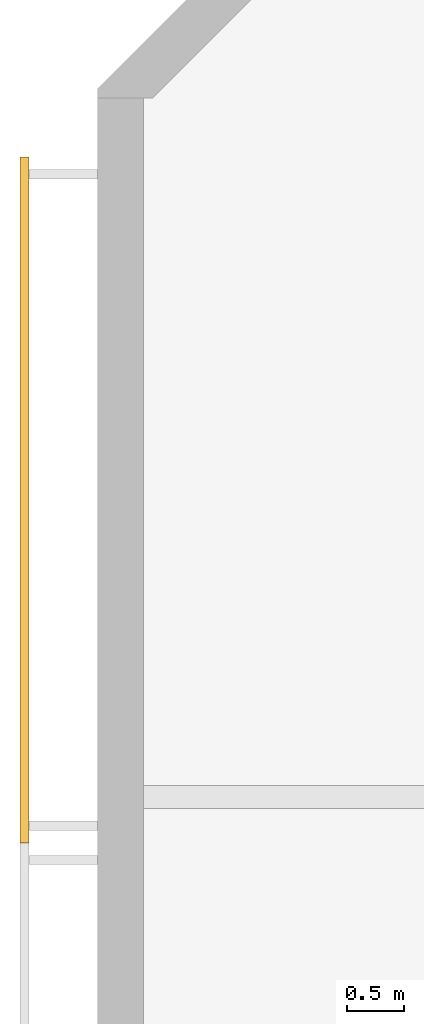
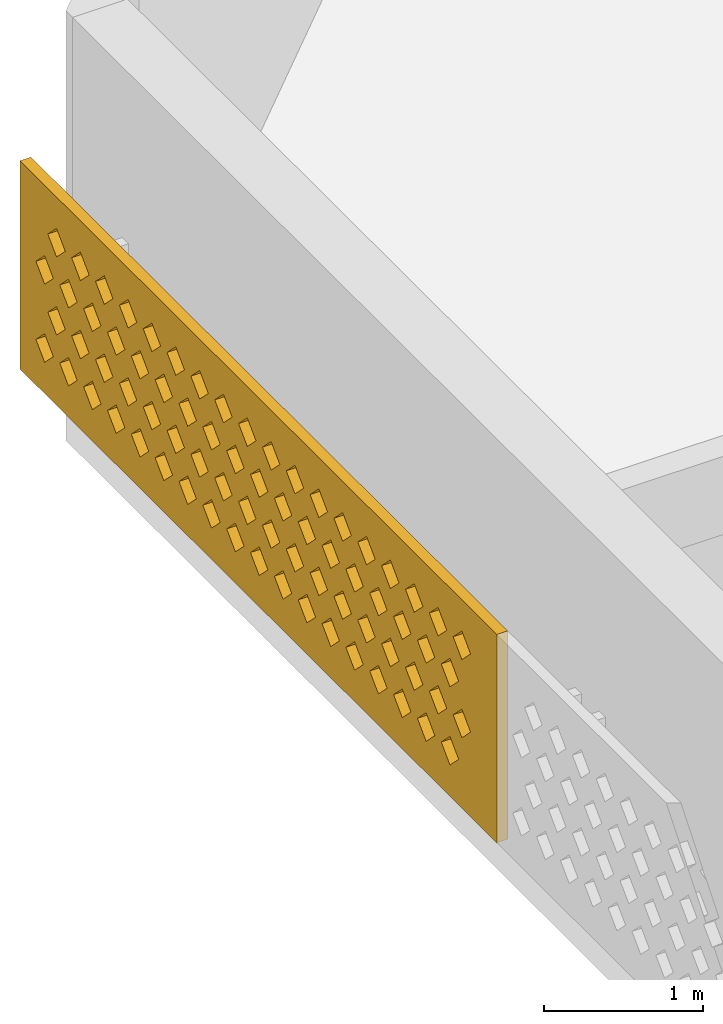
# One storey, part 15 of 18: 1 covering.
"""IFC4 building model written with IfcOpenShell, lengths in metres."""

from ifc_helpers import new_model, si_unit, direction, frame, origin, place, context, subcontext, project, spatial, polyline, outline, extrude, source, transform, mapped, material, material_profile, profile_set, type_object, element, save


model = new_model("IFC4")

# Units and contexts
model_context = context("Model", 3, precision=1e-05, world=origin(), true_north=direction((0.0, 1.0)))
body_context = subcontext(model_context, "Body", "Model", "MODEL_VIEW")
ifc_project = project(units=[si_unit("LENGTHUNIT", "METRE"), si_unit("AREAUNIT", "SQUARE_METRE"), si_unit("VOLUMEUNIT", "CUBIC_METRE"), si_unit("PLANEANGLEUNIT", "RADIAN"), si_unit("MASSUNIT", "GRAM", prefix="KILO")], contexts=[model_context])

# Site, building, storey
site_placement = place(None, origin())
site = spatial("IfcSite", under=ifc_project, at=site_placement, CompositionType="ELEMENT")
building_placement = place(site_placement, origin())
building = spatial("IfcBuilding", under=site, at=building_placement, Name="Poui Terraces", CompositionType="ELEMENT")
storey_placement = place(building_placement, frame((0.0, 0.0, 285.60009765625)))
storey = spatial("IfcBuildingStorey", under=building, at=storey_placement, Name="L79 CROWN", CompositionType="ELEMENT", Elevation=285.60009765625)

# Covering
ifc_material = material(Name="Terracotta screen", Category="masonry")
ifc_material_profile = material_profile(ifc_material, outline(polyline([(-3.0, -0.800048828125), (3.0, -0.800048828125), (3.0, 0.800048828125), (-3.0, 0.800048828125), (-3.0, -0.800048828125)]), holes=[polyline([(-2.800048828125, -0.449951171875), (-2.68994140625, -0.56005859375), (-2.580078125, -0.449951171875), (-2.68994140625, -0.340087890625), (-2.800048828125, -0.449951171875)]), polyline([(-2.5, -0.449951171875), (-2.389892578125, -0.56005859375), (-2.280029296875, -0.449951171875), (-2.389892578125, -0.340087890625), (-2.5, -0.449951171875)]), polyline([(-2.199951171875, -0.449951171875), (-2.090087890625, -0.56005859375), (-1.97998046875, -0.449951171875), (-2.090087890625, -0.340087890625), (-2.199951171875, -0.449951171875)]), polyline([(-1.89990234375, -0.449951171875), (-1.7900390625, -0.56005859375), (-1.679931640625, -0.449951171875), (-1.7900390625, -0.340087890625), (-1.89990234375, -0.449951171875)]), polyline([(-1.60009765625, -0.449951171875), (-1.489990234375, -0.56005859375), (-1.3798828125, -0.449951171875), (-1.489990234375, -0.340087890625), (-1.60009765625, -0.449951171875)]), polyline([(-1.300048828125, -0.449951171875), (-1.18994140625, -0.56005859375), (-1.080078125, -0.449951171875), (-1.18994140625, -0.340087890625), (-1.300048828125, -0.449951171875)]), polyline([(-1.0, -0.449951171875), (-0.889892578125, -0.56005859375), (-0.780029296875, -0.449951171875), (-0.889892578125, -0.340087890625), (-1.0, -0.449951171875)]), polyline([(-0.699951171875, -0.449951171875), (-0.590087890625, -0.56005859375), (-0.47998046875, -0.449951171875), (-0.590087890625, -0.340087890625), (-0.699951171875, -0.449951171875)]), polyline([(-0.39990234375, -0.449951171875), (-0.2900390625, -0.56005859375), (-0.179931640625, -0.449951171875), (-0.2900390625, -0.340087890625), (-0.39990234375, -0.449951171875)]), polyline([(-0.10009765625, -0.449951171875), (0.010009765625, -0.56005859375), (0.1201171875, -0.449951171875), (0.010009765625, -0.340087890625), (-0.10009765625, -0.449951171875)]), polyline([(0.199951171875, -0.449951171875), (0.31005859375, -0.56005859375), (0.419921875, -0.449951171875), (0.31005859375, -0.340087890625), (0.199951171875, -0.449951171875)]), polyline([(0.5, -0.449951171875), (0.610107421875, -0.56005859375), (0.719970703125, -0.449951171875), (0.610107421875, -0.340087890625), (0.5, -0.449951171875)]), polyline([(0.800048828125, -0.449951171875), (0.909912109375, -0.56005859375), (1.02001953125, -0.449951171875), (0.909912109375, -0.340087890625), (0.800048828125, -0.449951171875)]), polyline([(1.10009765625, -0.449951171875), (1.2099609375, -0.56005859375), (1.320068359375, -0.449951171875), (1.2099609375, -0.340087890625), (1.10009765625, -0.449951171875)]), polyline([(1.39990234375, -0.449951171875), (1.510009765625, -0.56005859375), (1.6201171875, -0.449951171875), (1.510009765625, -0.340087890625), (1.39990234375, -0.449951171875)]), polyline([(1.699951171875, -0.449951171875), (1.81005859375, -0.56005859375), (1.919921875, -0.449951171875), (1.81005859375, -0.340087890625), (1.699951171875, -0.449951171875)]), polyline([(2.0, -0.449951171875), (2.110107421875, -0.56005859375), (2.219970703125, -0.449951171875), (2.110107421875, -0.340087890625), (2.0, -0.449951171875)]), polyline([(2.300048828125, -0.449951171875), (2.409912109375, -0.56005859375), (2.52001953125, -0.449951171875), (2.409912109375, -0.340087890625), (2.300048828125, -0.449951171875)]), polyline([(-2.64990234375, -0.14990234375), (-2.5400390625, -0.260009765625), (-2.429931640625, -0.14990234375), (-2.5400390625, -0.0400390625), (-2.64990234375, -0.14990234375)]), polyline([(-2.35009765625, -0.14990234375), (-2.239990234375, -0.260009765625), (-2.1298828125, -0.14990234375), (-2.239990234375, -0.0400390625), (-2.35009765625, -0.14990234375)]), polyline([(-2.050048828125, -0.14990234375), (-1.93994140625, -0.260009765625), (-1.830078125, -0.14990234375), (-1.93994140625, -0.0400390625), (-2.050048828125, -0.14990234375)]), polyline([(-1.75, -0.14990234375), (-1.639892578125, -0.260009765625), (-1.530029296875, -0.14990234375), (-1.639892578125, -0.0400390625), (-1.75, -0.14990234375)]), polyline([(-1.449951171875, -0.14990234375), (-1.340087890625, -0.260009765625), (-1.22998046875, -0.14990234375), (-1.340087890625, -0.0400390625), (-1.449951171875, -0.14990234375)]), polyline([(-1.14990234375, -0.14990234375), (-1.0400390625, -0.260009765625), (-0.929931640625, -0.14990234375), (-1.0400390625, -0.0400390625), (-1.14990234375, -0.14990234375)]), polyline([(-0.85009765625, -0.14990234375), (-0.739990234375, -0.260009765625), (-0.6298828125, -0.14990234375), (-0.739990234375, -0.0400390625), (-0.85009765625, -0.14990234375)]), polyline([(-0.550048828125, -0.14990234375), (-0.43994140625, -0.260009765625), (-0.330078125, -0.14990234375), (-0.43994140625, -0.0400390625), (-0.550048828125, -0.14990234375)]), polyline([(-0.25, -0.14990234375), (-0.139892578125, -0.260009765625), (-0.030029296875, -0.14990234375), (-0.139892578125, -0.0400390625), (-0.25, -0.14990234375)]), polyline([(0.050048828125, -0.14990234375), (0.159912109375, -0.260009765625), (0.27001953125, -0.14990234375), (0.159912109375, -0.0400390625), (0.050048828125, -0.14990234375)]), polyline([(0.35009765625, -0.14990234375), (0.4599609375, -0.260009765625), (0.570068359375, -0.14990234375), (0.4599609375, -0.0400390625), (0.35009765625, -0.14990234375)]), polyline([(0.64990234375, -0.14990234375), (0.760009765625, -0.260009765625), (0.8701171875, -0.14990234375), (0.760009765625, -0.0400390625), (0.64990234375, -0.14990234375)]), polyline([(0.949951171875, -0.14990234375), (1.06005859375, -0.260009765625), (1.169921875, -0.14990234375), (1.06005859375, -0.0400390625), (0.949951171875, -0.14990234375)]), polyline([(1.25, -0.14990234375), (1.360107421875, -0.260009765625), (1.469970703125, -0.14990234375), (1.360107421875, -0.0400390625), (1.25, -0.14990234375)]), polyline([(1.550048828125, -0.14990234375), (1.659912109375, -0.260009765625), (1.77001953125, -0.14990234375), (1.659912109375, -0.0400390625), (1.550048828125, -0.14990234375)]), polyline([(1.85009765625, -0.14990234375), (1.9599609375, -0.260009765625), (2.070068359375, -0.14990234375), (1.9599609375, -0.0400390625), (1.85009765625, -0.14990234375)]), polyline([(2.14990234375, -0.14990234375), (2.260009765625, -0.260009765625), (2.3701171875, -0.14990234375), (2.260009765625, -0.0400390625), (2.14990234375, -0.14990234375)]), polyline([(2.449951171875, -0.14990234375), (2.56005859375, -0.260009765625), (2.669921875, -0.14990234375), (2.56005859375, -0.0400390625), (2.449951171875, -0.14990234375)]), polyline([(-2.800048828125, 0.14990234375), (-2.68994140625, 0.0400390625), (-2.580078125, 0.14990234375), (-2.68994140625, 0.260009765625), (-2.800048828125, 0.14990234375)]), polyline([(-2.5, 0.14990234375), (-2.389892578125, 0.0400390625), (-2.280029296875, 0.14990234375), (-2.389892578125, 0.260009765625), (-2.5, 0.14990234375)]), polyline([(-2.199951171875, 0.14990234375), (-2.090087890625, 0.0400390625), (-1.97998046875, 0.14990234375), (-2.090087890625, 0.260009765625), (-2.199951171875, 0.14990234375)]), polyline([(-1.89990234375, 0.14990234375), (-1.7900390625, 0.0400390625), (-1.679931640625, 0.14990234375), (-1.7900390625, 0.260009765625), (-1.89990234375, 0.14990234375)]), polyline([(-1.60009765625, 0.14990234375), (-1.489990234375, 0.0400390625), (-1.3798828125, 0.14990234375), (-1.489990234375, 0.260009765625), (-1.60009765625, 0.14990234375)]), polyline([(-1.300048828125, 0.14990234375), (-1.18994140625, 0.0400390625), (-1.080078125, 0.14990234375), (-1.18994140625, 0.260009765625), (-1.300048828125, 0.14990234375)]), polyline([(-1.0, 0.14990234375), (-0.889892578125, 0.0400390625), (-0.780029296875, 0.14990234375), (-0.889892578125, 0.260009765625), (-1.0, 0.14990234375)]), polyline([(-0.699951171875, 0.14990234375), (-0.590087890625, 0.0400390625), (-0.47998046875, 0.14990234375), (-0.590087890625, 0.260009765625), (-0.699951171875, 0.14990234375)]), polyline([(-0.39990234375, 0.14990234375), (-0.2900390625, 0.0400390625), (-0.179931640625, 0.14990234375), (-0.2900390625, 0.260009765625), (-0.39990234375, 0.14990234375)]), polyline([(-0.10009765625, 0.14990234375), (0.010009765625, 0.0400390625), (0.1201171875, 0.14990234375), (0.010009765625, 0.260009765625), (-0.10009765625, 0.14990234375)]), polyline([(0.199951171875, 0.14990234375), (0.31005859375, 0.0400390625), (0.419921875, 0.14990234375), (0.31005859375, 0.260009765625), (0.199951171875, 0.14990234375)]), polyline([(0.5, 0.14990234375), (0.610107421875, 0.0400390625), (0.719970703125, 0.14990234375), (0.610107421875, 0.260009765625), (0.5, 0.14990234375)]), polyline([(0.800048828125, 0.14990234375), (0.909912109375, 0.0400390625), (1.02001953125, 0.14990234375), (0.909912109375, 0.260009765625), (0.800048828125, 0.14990234375)]), polyline([(1.10009765625, 0.14990234375), (1.2099609375, 0.0400390625), (1.320068359375, 0.14990234375), (1.2099609375, 0.260009765625), (1.10009765625, 0.14990234375)]), polyline([(1.39990234375, 0.14990234375), (1.510009765625, 0.0400390625), (1.6201171875, 0.14990234375), (1.510009765625, 0.260009765625), (1.39990234375, 0.14990234375)]), polyline([(1.699951171875, 0.14990234375), (1.81005859375, 0.0400390625), (1.919921875, 0.14990234375), (1.81005859375, 0.260009765625), (1.699951171875, 0.14990234375)]), polyline([(2.0, 0.14990234375), (2.110107421875, 0.0400390625), (2.219970703125, 0.14990234375), (2.110107421875, 0.260009765625), (2.0, 0.14990234375)]), polyline([(2.300048828125, 0.14990234375), (2.409912109375, 0.0400390625), (2.52001953125, 0.14990234375), (2.409912109375, 0.260009765625), (2.300048828125, 0.14990234375)]), polyline([(-2.64990234375, 0.449951171875), (-2.5400390625, 0.340087890625), (-2.429931640625, 0.449951171875), (-2.5400390625, 0.56005859375), (-2.64990234375, 0.449951171875)]), polyline([(-2.35009765625, 0.449951171875), (-2.239990234375, 0.340087890625), (-2.1298828125, 0.449951171875), (-2.239990234375, 0.56005859375), (-2.35009765625, 0.449951171875)]), polyline([(-2.050048828125, 0.449951171875), (-1.93994140625, 0.340087890625), (-1.830078125, 0.449951171875), (-1.93994140625, 0.56005859375), (-2.050048828125, 0.449951171875)]), polyline([(-1.75, 0.449951171875), (-1.639892578125, 0.340087890625), (-1.530029296875, 0.449951171875), (-1.639892578125, 0.56005859375), (-1.75, 0.449951171875)]), polyline([(-1.449951171875, 0.449951171875), (-1.340087890625, 0.340087890625), (-1.22998046875, 0.449951171875), (-1.340087890625, 0.56005859375), (-1.449951171875, 0.449951171875)]), polyline([(-1.14990234375, 0.449951171875), (-1.0400390625, 0.340087890625), (-0.929931640625, 0.449951171875), (-1.0400390625, 0.56005859375), (-1.14990234375, 0.449951171875)]), polyline([(-0.85009765625, 0.449951171875), (-0.739990234375, 0.340087890625), (-0.6298828125, 0.449951171875), (-0.739990234375, 0.56005859375), (-0.85009765625, 0.449951171875)]), polyline([(-0.550048828125, 0.449951171875), (-0.43994140625, 0.340087890625), (-0.330078125, 0.449951171875), (-0.43994140625, 0.56005859375), (-0.550048828125, 0.449951171875)]), polyline([(-0.25, 0.449951171875), (-0.139892578125, 0.340087890625), (-0.030029296875, 0.449951171875), (-0.139892578125, 0.56005859375), (-0.25, 0.449951171875)]), polyline([(0.050048828125, 0.449951171875), (0.159912109375, 0.340087890625), (0.27001953125, 0.449951171875), (0.159912109375, 0.56005859375), (0.050048828125, 0.449951171875)]), polyline([(0.35009765625, 0.449951171875), (0.4599609375, 0.340087890625), (0.570068359375, 0.449951171875), (0.4599609375, 0.56005859375), (0.35009765625, 0.449951171875)]), polyline([(0.64990234375, 0.449951171875), (0.760009765625, 0.340087890625), (0.8701171875, 0.449951171875), (0.760009765625, 0.56005859375), (0.64990234375, 0.449951171875)]), polyline([(0.949951171875, 0.449951171875), (1.06005859375, 0.340087890625), (1.169921875, 0.449951171875), (1.06005859375, 0.56005859375), (0.949951171875, 0.449951171875)]), polyline([(1.25, 0.449951171875), (1.360107421875, 0.340087890625), (1.469970703125, 0.449951171875), (1.360107421875, 0.56005859375), (1.25, 0.449951171875)]), polyline([(1.550048828125, 0.449951171875), (1.659912109375, 0.340087890625), (1.77001953125, 0.449951171875), (1.659912109375, 0.56005859375), (1.550048828125, 0.449951171875)]), polyline([(1.85009765625, 0.449951171875), (1.9599609375, 0.340087890625), (2.070068359375, 0.449951171875), (1.9599609375, 0.56005859375), (1.85009765625, 0.449951171875)]), polyline([(2.14990234375, 0.449951171875), (2.260009765625, 0.340087890625), (2.3701171875, 0.449951171875), (2.260009765625, 0.56005859375), (2.14990234375, 0.449951171875)]), polyline([(2.449951171875, 0.449951171875), (2.56005859375, 0.340087890625), (2.669921875, 0.449951171875), (2.56005859375, 0.56005859375), (2.449951171875, 0.449951171875)])]), Name="TERRACOTTA SOLAR SCREEN 6000X1600")
ifc_profile_set = profile_set([ifc_material_profile], Name="Terracotta screen")
covering_type = type_object("IfcCoveringType", Name="TERRACOTTA SOLAR SCREEN 6000X1600", PredefinedType="CLADDING", material=ifc_profile_set)
shared_shape = source(origin(), body_context, "Body", "SweptSolid", [
    extrude(outline(polyline([(-3.0, -0.800048828125), (3.0, -0.800048828125), (3.0, 0.800048828125), (-3.0, 0.800048828125), (-3.0, -0.800048828125)]), holes=[polyline([(-2.800048828125, -0.449951171875), (-2.68994140625, -0.56005859375), (-2.580078125, -0.449951171875), (-2.68994140625, -0.340087890625), (-2.800048828125, -0.449951171875)]), polyline([(-2.5, -0.449951171875), (-2.389892578125, -0.56005859375), (-2.280029296875, -0.449951171875), (-2.389892578125, -0.340087890625), (-2.5, -0.449951171875)]), polyline([(-2.199951171875, -0.449951171875), (-2.090087890625, -0.56005859375), (-1.97998046875, -0.449951171875), (-2.090087890625, -0.340087890625), (-2.199951171875, -0.449951171875)]), polyline([(-1.89990234375, -0.449951171875), (-1.7900390625, -0.56005859375), (-1.679931640625, -0.449951171875), (-1.7900390625, -0.340087890625), (-1.89990234375, -0.449951171875)]), polyline([(-1.60009765625, -0.449951171875), (-1.489990234375, -0.56005859375), (-1.3798828125, -0.449951171875), (-1.489990234375, -0.340087890625), (-1.60009765625, -0.449951171875)]), polyline([(-1.300048828125, -0.449951171875), (-1.18994140625, -0.56005859375), (-1.080078125, -0.449951171875), (-1.18994140625, -0.340087890625), (-1.300048828125, -0.449951171875)]), polyline([(-1.0, -0.449951171875), (-0.889892578125, -0.56005859375), (-0.780029296875, -0.449951171875), (-0.889892578125, -0.340087890625), (-1.0, -0.449951171875)]), polyline([(-0.699951171875, -0.449951171875), (-0.590087890625, -0.56005859375), (-0.47998046875, -0.449951171875), (-0.590087890625, -0.340087890625), (-0.699951171875, -0.449951171875)]), polyline([(-0.39990234375, -0.449951171875), (-0.2900390625, -0.56005859375), (-0.179931640625, -0.449951171875), (-0.2900390625, -0.340087890625), (-0.39990234375, -0.449951171875)]), polyline([(-0.10009765625, -0.449951171875), (0.010009765625, -0.56005859375), (0.1201171875, -0.449951171875), (0.010009765625, -0.340087890625), (-0.10009765625, -0.449951171875)]), polyline([(0.199951171875, -0.449951171875), (0.31005859375, -0.56005859375), (0.419921875, -0.449951171875), (0.31005859375, -0.340087890625), (0.199951171875, -0.449951171875)]), polyline([(0.5, -0.449951171875), (0.610107421875, -0.56005859375), (0.719970703125, -0.449951171875), (0.610107421875, -0.340087890625), (0.5, -0.449951171875)]), polyline([(0.800048828125, -0.449951171875), (0.909912109375, -0.56005859375), (1.02001953125, -0.449951171875), (0.909912109375, -0.340087890625), (0.800048828125, -0.449951171875)]), polyline([(1.10009765625, -0.449951171875), (1.2099609375, -0.56005859375), (1.320068359375, -0.449951171875), (1.2099609375, -0.340087890625), (1.10009765625, -0.449951171875)]), polyline([(1.39990234375, -0.449951171875), (1.510009765625, -0.56005859375), (1.6201171875, -0.449951171875), (1.510009765625, -0.340087890625), (1.39990234375, -0.449951171875)]), polyline([(1.699951171875, -0.449951171875), (1.81005859375, -0.56005859375), (1.919921875, -0.449951171875), (1.81005859375, -0.340087890625), (1.699951171875, -0.449951171875)]), polyline([(2.0, -0.449951171875), (2.110107421875, -0.56005859375), (2.219970703125, -0.449951171875), (2.110107421875, -0.340087890625), (2.0, -0.449951171875)]), polyline([(2.300048828125, -0.449951171875), (2.409912109375, -0.56005859375), (2.52001953125, -0.449951171875), (2.409912109375, -0.340087890625), (2.300048828125, -0.449951171875)]), polyline([(-2.64990234375, -0.14990234375), (-2.5400390625, -0.260009765625), (-2.429931640625, -0.14990234375), (-2.5400390625, -0.0400390625), (-2.64990234375, -0.14990234375)]), polyline([(-2.35009765625, -0.14990234375), (-2.239990234375, -0.260009765625), (-2.1298828125, -0.14990234375), (-2.239990234375, -0.0400390625), (-2.35009765625, -0.14990234375)]), polyline([(-2.050048828125, -0.14990234375), (-1.93994140625, -0.260009765625), (-1.830078125, -0.14990234375), (-1.93994140625, -0.0400390625), (-2.050048828125, -0.14990234375)]), polyline([(-1.75, -0.14990234375), (-1.639892578125, -0.260009765625), (-1.530029296875, -0.14990234375), (-1.639892578125, -0.0400390625), (-1.75, -0.14990234375)]), polyline([(-1.449951171875, -0.14990234375), (-1.340087890625, -0.260009765625), (-1.22998046875, -0.14990234375), (-1.340087890625, -0.0400390625), (-1.449951171875, -0.14990234375)]), polyline([(-1.14990234375, -0.14990234375), (-1.0400390625, -0.260009765625), (-0.929931640625, -0.14990234375), (-1.0400390625, -0.0400390625), (-1.14990234375, -0.14990234375)]), polyline([(-0.85009765625, -0.14990234375), (-0.739990234375, -0.260009765625), (-0.6298828125, -0.14990234375), (-0.739990234375, -0.0400390625), (-0.85009765625, -0.14990234375)]), polyline([(-0.550048828125, -0.14990234375), (-0.43994140625, -0.260009765625), (-0.330078125, -0.14990234375), (-0.43994140625, -0.0400390625), (-0.550048828125, -0.14990234375)]), polyline([(-0.25, -0.14990234375), (-0.139892578125, -0.260009765625), (-0.030029296875, -0.14990234375), (-0.139892578125, -0.0400390625), (-0.25, -0.14990234375)]), polyline([(0.050048828125, -0.14990234375), (0.159912109375, -0.260009765625), (0.27001953125, -0.14990234375), (0.159912109375, -0.0400390625), (0.050048828125, -0.14990234375)]), polyline([(0.35009765625, -0.14990234375), (0.4599609375, -0.260009765625), (0.570068359375, -0.14990234375), (0.4599609375, -0.0400390625), (0.35009765625, -0.14990234375)]), polyline([(0.64990234375, -0.14990234375), (0.760009765625, -0.260009765625), (0.8701171875, -0.14990234375), (0.760009765625, -0.0400390625), (0.64990234375, -0.14990234375)]), polyline([(0.949951171875, -0.14990234375), (1.06005859375, -0.260009765625), (1.169921875, -0.14990234375), (1.06005859375, -0.0400390625), (0.949951171875, -0.14990234375)]), polyline([(1.25, -0.14990234375), (1.360107421875, -0.260009765625), (1.469970703125, -0.14990234375), (1.360107421875, -0.0400390625), (1.25, -0.14990234375)]), polyline([(1.550048828125, -0.14990234375), (1.659912109375, -0.260009765625), (1.77001953125, -0.14990234375), (1.659912109375, -0.0400390625), (1.550048828125, -0.14990234375)]), polyline([(1.85009765625, -0.14990234375), (1.9599609375, -0.260009765625), (2.070068359375, -0.14990234375), (1.9599609375, -0.0400390625), (1.85009765625, -0.14990234375)]), polyline([(2.14990234375, -0.14990234375), (2.260009765625, -0.260009765625), (2.3701171875, -0.14990234375), (2.260009765625, -0.0400390625), (2.14990234375, -0.14990234375)]), polyline([(2.449951171875, -0.14990234375), (2.56005859375, -0.260009765625), (2.669921875, -0.14990234375), (2.56005859375, -0.0400390625), (2.449951171875, -0.14990234375)]), polyline([(-2.800048828125, 0.14990234375), (-2.68994140625, 0.0400390625), (-2.580078125, 0.14990234375), (-2.68994140625, 0.260009765625), (-2.800048828125, 0.14990234375)]), polyline([(-2.5, 0.14990234375), (-2.389892578125, 0.0400390625), (-2.280029296875, 0.14990234375), (-2.389892578125, 0.260009765625), (-2.5, 0.14990234375)]), polyline([(-2.199951171875, 0.14990234375), (-2.090087890625, 0.0400390625), (-1.97998046875, 0.14990234375), (-2.090087890625, 0.260009765625), (-2.199951171875, 0.14990234375)]), polyline([(-1.89990234375, 0.14990234375), (-1.7900390625, 0.0400390625), (-1.679931640625, 0.14990234375), (-1.7900390625, 0.260009765625), (-1.89990234375, 0.14990234375)]), polyline([(-1.60009765625, 0.14990234375), (-1.489990234375, 0.0400390625), (-1.3798828125, 0.14990234375), (-1.489990234375, 0.260009765625), (-1.60009765625, 0.14990234375)]), polyline([(-1.300048828125, 0.14990234375), (-1.18994140625, 0.0400390625), (-1.080078125, 0.14990234375), (-1.18994140625, 0.260009765625), (-1.300048828125, 0.14990234375)]), polyline([(-1.0, 0.14990234375), (-0.889892578125, 0.0400390625), (-0.780029296875, 0.14990234375), (-0.889892578125, 0.260009765625), (-1.0, 0.14990234375)]), polyline([(-0.699951171875, 0.14990234375), (-0.590087890625, 0.0400390625), (-0.47998046875, 0.14990234375), (-0.590087890625, 0.260009765625), (-0.699951171875, 0.14990234375)]), polyline([(-0.39990234375, 0.14990234375), (-0.2900390625, 0.0400390625), (-0.179931640625, 0.14990234375), (-0.2900390625, 0.260009765625), (-0.39990234375, 0.14990234375)]), polyline([(-0.10009765625, 0.14990234375), (0.010009765625, 0.0400390625), (0.1201171875, 0.14990234375), (0.010009765625, 0.260009765625), (-0.10009765625, 0.14990234375)]), polyline([(0.199951171875, 0.14990234375), (0.31005859375, 0.0400390625), (0.419921875, 0.14990234375), (0.31005859375, 0.260009765625), (0.199951171875, 0.14990234375)]), polyline([(0.5, 0.14990234375), (0.610107421875, 0.0400390625), (0.719970703125, 0.14990234375), (0.610107421875, 0.260009765625), (0.5, 0.14990234375)]), polyline([(0.800048828125, 0.14990234375), (0.909912109375, 0.0400390625), (1.02001953125, 0.14990234375), (0.909912109375, 0.260009765625), (0.800048828125, 0.14990234375)]), polyline([(1.10009765625, 0.14990234375), (1.2099609375, 0.0400390625), (1.320068359375, 0.14990234375), (1.2099609375, 0.260009765625), (1.10009765625, 0.14990234375)]), polyline([(1.39990234375, 0.14990234375), (1.510009765625, 0.0400390625), (1.6201171875, 0.14990234375), (1.510009765625, 0.260009765625), (1.39990234375, 0.14990234375)]), polyline([(1.699951171875, 0.14990234375), (1.81005859375, 0.0400390625), (1.919921875, 0.14990234375), (1.81005859375, 0.260009765625), (1.699951171875, 0.14990234375)]), polyline([(2.0, 0.14990234375), (2.110107421875, 0.0400390625), (2.219970703125, 0.14990234375), (2.110107421875, 0.260009765625), (2.0, 0.14990234375)]), polyline([(2.300048828125, 0.14990234375), (2.409912109375, 0.0400390625), (2.52001953125, 0.14990234375), (2.409912109375, 0.260009765625), (2.300048828125, 0.14990234375)]), polyline([(-2.64990234375, 0.449951171875), (-2.5400390625, 0.340087890625), (-2.429931640625, 0.449951171875), (-2.5400390625, 0.56005859375), (-2.64990234375, 0.449951171875)]), polyline([(-2.35009765625, 0.449951171875), (-2.239990234375, 0.340087890625), (-2.1298828125, 0.449951171875), (-2.239990234375, 0.56005859375), (-2.35009765625, 0.449951171875)]), polyline([(-2.050048828125, 0.449951171875), (-1.93994140625, 0.340087890625), (-1.830078125, 0.449951171875), (-1.93994140625, 0.56005859375), (-2.050048828125, 0.449951171875)]), polyline([(-1.75, 0.449951171875), (-1.639892578125, 0.340087890625), (-1.530029296875, 0.449951171875), (-1.639892578125, 0.56005859375), (-1.75, 0.449951171875)]), polyline([(-1.449951171875, 0.449951171875), (-1.340087890625, 0.340087890625), (-1.22998046875, 0.449951171875), (-1.340087890625, 0.56005859375), (-1.449951171875, 0.449951171875)]), polyline([(-1.14990234375, 0.449951171875), (-1.0400390625, 0.340087890625), (-0.929931640625, 0.449951171875), (-1.0400390625, 0.56005859375), (-1.14990234375, 0.449951171875)]), polyline([(-0.85009765625, 0.449951171875), (-0.739990234375, 0.340087890625), (-0.6298828125, 0.449951171875), (-0.739990234375, 0.56005859375), (-0.85009765625, 0.449951171875)]), polyline([(-0.550048828125, 0.449951171875), (-0.43994140625, 0.340087890625), (-0.330078125, 0.449951171875), (-0.43994140625, 0.56005859375), (-0.550048828125, 0.449951171875)]), polyline([(-0.25, 0.449951171875), (-0.139892578125, 0.340087890625), (-0.030029296875, 0.449951171875), (-0.139892578125, 0.56005859375), (-0.25, 0.449951171875)]), polyline([(0.050048828125, 0.449951171875), (0.159912109375, 0.340087890625), (0.27001953125, 0.449951171875), (0.159912109375, 0.56005859375), (0.050048828125, 0.449951171875)]), polyline([(0.35009765625, 0.449951171875), (0.4599609375, 0.340087890625), (0.570068359375, 0.449951171875), (0.4599609375, 0.56005859375), (0.35009765625, 0.449951171875)]), polyline([(0.64990234375, 0.449951171875), (0.760009765625, 0.340087890625), (0.8701171875, 0.449951171875), (0.760009765625, 0.56005859375), (0.64990234375, 0.449951171875)]), polyline([(0.949951171875, 0.449951171875), (1.06005859375, 0.340087890625), (1.169921875, 0.449951171875), (1.06005859375, 0.56005859375), (0.949951171875, 0.449951171875)]), polyline([(1.25, 0.449951171875), (1.360107421875, 0.340087890625), (1.469970703125, 0.449951171875), (1.360107421875, 0.56005859375), (1.25, 0.449951171875)]), polyline([(1.550048828125, 0.449951171875), (1.659912109375, 0.340087890625), (1.77001953125, 0.449951171875), (1.659912109375, 0.56005859375), (1.550048828125, 0.449951171875)]), polyline([(1.85009765625, 0.449951171875), (1.9599609375, 0.340087890625), (2.070068359375, 0.449951171875), (1.9599609375, 0.56005859375), (1.85009765625, 0.449951171875)]), polyline([(2.14990234375, 0.449951171875), (2.260009765625, 0.340087890625), (2.3701171875, 0.449951171875), (2.260009765625, 0.56005859375), (2.14990234375, 0.449951171875)]), polyline([(2.449951171875, 0.449951171875), (2.56005859375, 0.340087890625), (2.669921875, 0.449951171875), (2.56005859375, 0.56005859375), (2.449951171875, 0.449951171875)])]), origin(), (0.0, 0.0, 1.0), 0.079833984375),
])
covering_placement = place(storey_placement, frame((17.199951171875, 33.0, 1.699951171875), z_axis=(-1.0, 0.0, 0.0), x_axis=(0.0, -1.0, 0.0)))
element("IfcCovering", 1, at=covering_placement, inside=storey, type_object=covering_type, Name="SOLAR SCREEN", PredefinedType="CLADDING", context=body_context, shape_type="MappedRepresentation", body=[
    mapped(shared_shape, transform((0.0, 0.0, 0.0))),
])

save(model, "model.ifc")
